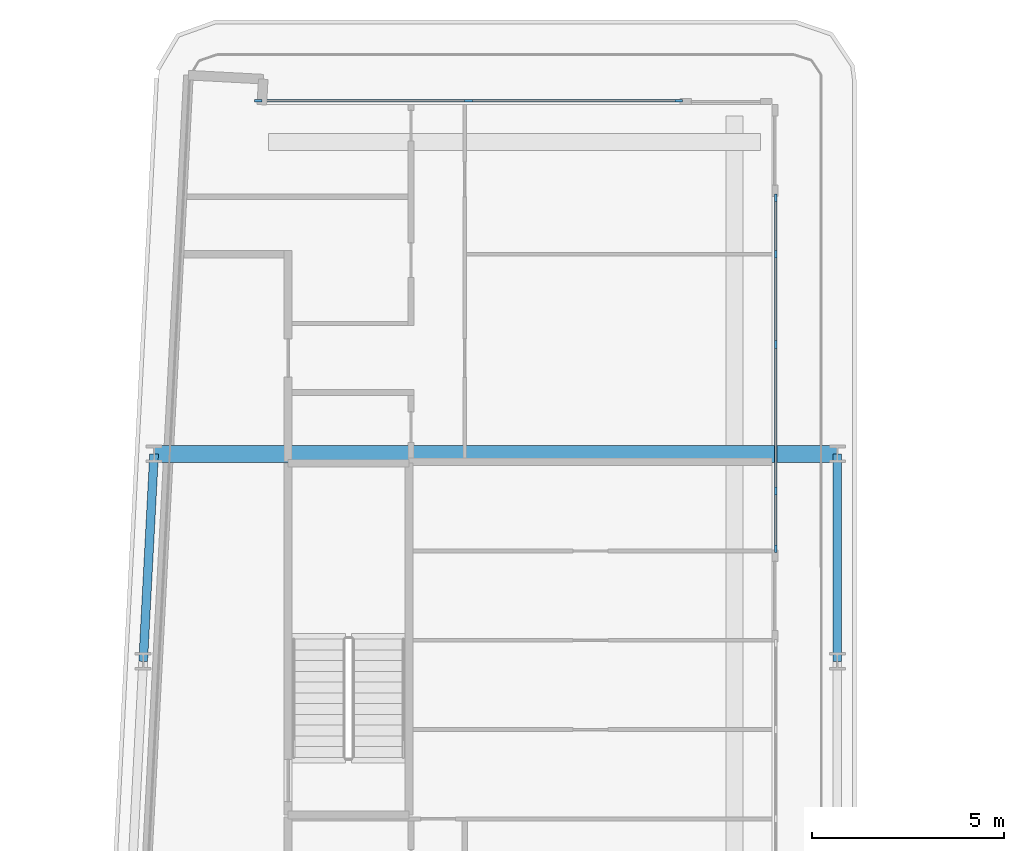
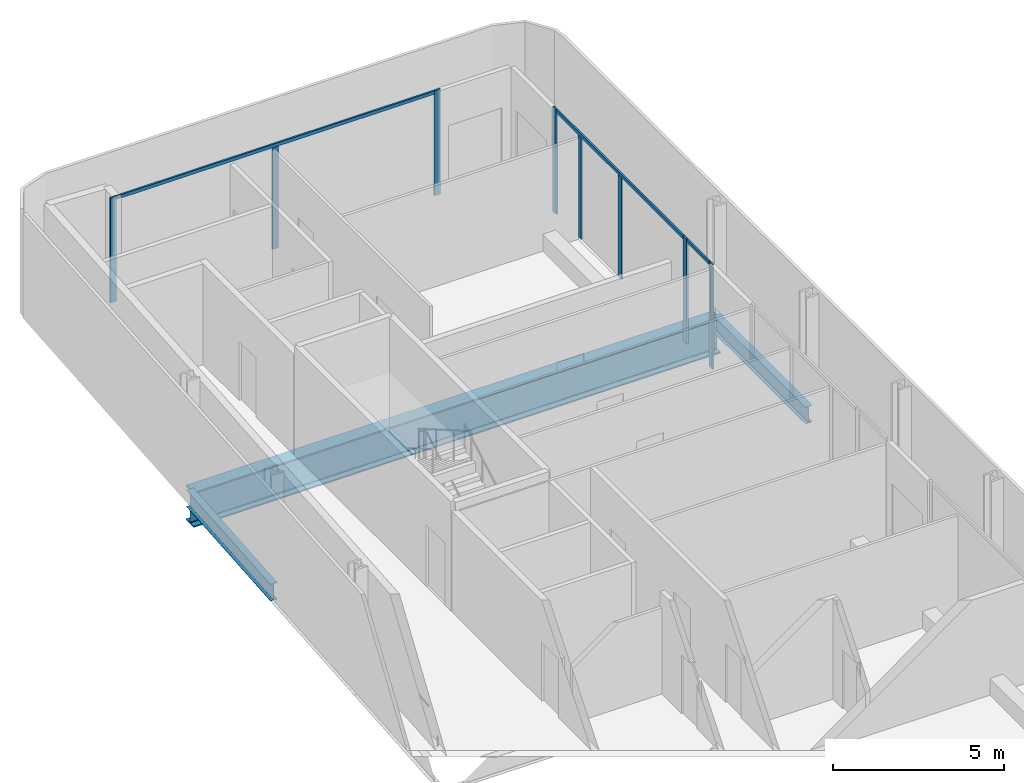
# One storey, part 9 of 28: 11 members, 3 beams, 3 elements without a shape of their own.
"""IFC4 building model written with IfcOpenShell, lengths in metres."""

from ifc_helpers import new_model, si_unit, direction, frame, origin, origin_2d, place, context, subcontext, project, spatial, rectangle, i_section, extrude, material, layer, layer_set, material_profile, profile_set, type_object, element, aggregate, save


model = new_model("IFC4")

# Units and contexts
model_context = context("Model", 3, precision=1e-05, world=origin(), true_north=direction((0.0, 1.0)))
body_context = subcontext(model_context, "Body", "Model", "MODEL_VIEW")
ifc_project = project(units=[si_unit("LENGTHUNIT", "METRE"), si_unit("AREAUNIT", "SQUARE_METRE"), si_unit("VOLUMEUNIT", "CUBIC_METRE"), si_unit("PLANEANGLEUNIT", "RADIAN"), si_unit("MASSUNIT", "GRAM", prefix="KILO")], contexts=[model_context])

# Site, building, storey
site_placement = place(None, origin())
site = spatial("IfcSite", under=ifc_project, at=site_placement, CompositionType="ELEMENT")
building_placement = place(site_placement, origin())
building = spatial("IfcBuilding", under=site, at=building_placement, Name="Kheshtan School and Residences Tower", CompositionType="ELEMENT")
storey_placement = place(building_placement, frame((0.0, 0.0, 137.0)))
storey = spatial("IfcBuildingStorey", under=building, at=storey_placement, Name="L32", CompositionType="ELEMENT", Elevation=137.0)

# Beams
ifc_material_1 = material(Name="Steel ASTM A992 Grade 50", Category="steel")
ifc_material_profile_1 = material_profile(ifc_material_1, i_section(OverallWidth=0.22802734375, OverallDepth=0.60302734375, WebThickness=0.010498046875, FlangeThickness=0.014892578125, FilletRadius=0.013427734375, at=origin_2d()), Name="W610x101")
ifc_profile_set_1 = profile_set([ifc_material_profile_1], Name="Steel ASTM A992 Grade 50")
beam_type_1 = type_object("IfcBeamType", Name="Beam SP2 W610x101 ASTM A992 Grade 50", PredefinedType="BEAM", material=ifc_profile_set_1)
beam_1_placement = place(storey_placement, frame((47.60009765625, 88.800048828125, -0.451416015625), z_axis=(0.0, -1.0, 0.0), x_axis=(1.0, 0.0, 0.0)))
element("IfcBeam", 1, at=beam_1_placement, inside=storey, type_object=beam_type_1, Name="Spandrel beam C099-C091", PredefinedType="BEAM", context=body_context, shape_type="SweptSolid", body=[
    extrude(i_section(OverallWidth=0.22802734375, OverallDepth=0.60302734375, WebThickness=0.010498046875, FlangeThickness=0.014892578125, FilletRadius=0.013427734375, at=origin_2d()), origin(), (0.0, 0.0, 1.0), 5.400146484375),
])
beam_2_placement = place(storey_placement, frame((29.527099609375, 83.39990234375, -0.451416015625), z_axis=(0.05250670125, 0.998620571751, 0.0), x_axis=(-0.998620571751, 0.05250670125, 0.0)))
element("IfcBeam", 2, at=beam_2_placement, inside=storey, type_object=beam_type_1, Name="Spandrel beam C090-C098", PredefinedType="BEAM", context=body_context, shape_type="SweptSolid", body=[
    extrude(i_section(OverallWidth=0.22802734375, OverallDepth=0.60302734375, WebThickness=0.010498046875, FlangeThickness=0.014892578125, FilletRadius=0.013427734375, at=origin_2d()), origin(), (0.0, 0.0, 1.0), 5.40771484375),
])

# Curtain wall, members
ifc_material_2 = material(Name="Clear low-e glass in thermally broken aluminium frame", Category="aluminium")
ifc_layer = layer(ifc_material_2, 0.199951171875)
ifc_layer_set = layer_set([ifc_layer], Name="Curtain wall CW-L")
curtain_wall_type = type_object("IfcCurtainWallType", Name="Curtain wall CW-L", PredefinedType="NOTDEFINED", material=ifc_layer_set)
curtain_wall_1_placement = place(storey_placement, origin())
curtain_wall_1 = element("IfcCurtainWall", 3, at=curtain_wall_1_placement, inside=storey, type_object=curtain_wall_type, Name="Curtain wall CWL7", PredefinedType="NOTDEFINED")
ifc_material_3 = material(Name="Thermally broken aluminium, dark bronze anodised", Category="aluminium")
ifc_material_profile_2 = material_profile(ifc_material_3, rectangle(XDim=0.06005859375, YDim=0.199951171875, at=origin_2d()), Name="CW-L mullion 60x200")
ifc_profile_set_2 = profile_set([ifc_material_profile_2], Name="Thermally broken aluminium, dark bronze anodised")
member_type_1 = type_object("IfcMemberType", Name="CW-L mullion 60x200", PredefinedType="MULLION", material=ifc_profile_set_2)
member_1_placement = place(storey_placement, frame((32.52197265625, 98.0, 0.0), z_axis=(0.0, 0.0, 1.0), x_axis=(0.0, 1.0, 0.0)))
member_1 = element("IfcMember", 4, at=member_1_placement, type_object=member_type_1, Name="CWL7 mullion 1", PredefinedType="MULLION", context=body_context, shape_type="SweptSolid", body=[
    extrude(rectangle(XDim=0.06005859375, YDim=0.199951171875, at=origin_2d()), origin(), (0.0, 0.0, 1.0), 3.75),
])
member_2_placement = place(storey_placement, frame((37.99609375, 98.0, 0.0), z_axis=(0.0, 0.0, 1.0), x_axis=(0.0, 1.0, 0.0)))
member_2 = element("IfcMember", 5, at=member_2_placement, type_object=member_type_1, Name="CWL7 mullion 2", PredefinedType="MULLION", context=body_context, shape_type="SweptSolid", body=[
    extrude(rectangle(XDim=0.06005859375, YDim=0.199951171875, at=origin_2d()), origin(), (0.0, 0.0, 1.0), 3.6298828125),
])
member_3_placement = place(storey_placement, frame((43.469970703125, 98.0, 0.0), z_axis=(0.0, 0.0, 1.0), x_axis=(0.0, 1.0, 0.0)))
member_3 = element("IfcMember", 6, at=member_3_placement, type_object=member_type_1, Name="CWL7 mullion 3", PredefinedType="MULLION", context=body_context, shape_type="SweptSolid", body=[
    extrude(rectangle(XDim=0.06005859375, YDim=0.199951171875, at=origin_2d()), origin(), (0.0, 0.0, 1.0), 3.75),
])

curtain_wall_2_placement = place(storey_placement, origin())
curtain_wall_2 = element("IfcCurtainWall", 7, at=curtain_wall_2_placement, inside=storey, type_object=curtain_wall_type, Name="Curtain wall CWL8c", PredefinedType="NOTDEFINED")
member_4_placement = place(storey_placement, frame((46.0, 95.469970703125, 0.0), z_axis=(0.0, 0.0, 1.0), x_axis=(1.0, 0.0, 0.0)))
member_4 = element("IfcMember", 8, at=member_4_placement, type_object=member_type_1, Name="CWL8c mullion 1", PredefinedType="MULLION", context=body_context, shape_type="SweptSolid", body=[
    extrude(rectangle(XDim=0.06005859375, YDim=0.199951171875, at=origin_2d()), origin(), (0.0, 0.0, 1.0), 3.75),
])
member_5_placement = place(storey_placement, frame((46.0, 94.0, 0.0), z_axis=(0.0, 0.0, 1.0), x_axis=(1.0, 0.0, 0.0)))
member_5 = element("IfcMember", 9, at=member_5_placement, type_object=member_type_1, Name="CWL8c mullion 2", PredefinedType="MULLION", context=body_context, shape_type="SweptSolid", body=[
    extrude(rectangle(XDim=0.06005859375, YDim=0.199951171875, at=origin_2d()), origin(), (0.0, 0.0, 1.0), 3.6298828125),
])
member_6_placement = place(storey_placement, frame((46.0, 91.653076171875, 0.0), z_axis=(0.0, 0.0, 1.0), x_axis=(1.0, 0.0, 0.0)))
member_6 = element("IfcMember", 10, at=member_6_placement, type_object=member_type_1, Name="CWL8c mullion 3", PredefinedType="MULLION", context=body_context, shape_type="SweptSolid", body=[
    extrude(rectangle(XDim=0.06005859375, YDim=0.199951171875, at=origin_2d()), origin(), (0.0, 0.0, 1.0), 3.6298828125),
])
member_7_placement = place(storey_placement, frame((46.0, 87.8359375, 0.0), z_axis=(0.0, 0.0, 1.0), x_axis=(1.0, 0.0, 0.0)))
member_7 = element("IfcMember", 11, at=member_7_placement, type_object=member_type_1, Name="CWL8c mullion 4", PredefinedType="MULLION", context=body_context, shape_type="SweptSolid", body=[
    extrude(rectangle(XDim=0.06005859375, YDim=0.199951171875, at=origin_2d()), origin(), (0.0, 0.0, 1.0), 3.75),
])

# Curtain wall, member
curtain_wall_3_placement = place(storey_placement, origin())
curtain_wall_3 = element("IfcCurtainWall", 12, at=curtain_wall_3_placement, inside=storey, type_object=curtain_wall_type, Name="Curtain wall CWL8a", PredefinedType="NOTDEFINED")
member_8_placement = place(storey_placement, frame((46.0, 86.3359375, 0.0), z_axis=(0.0, 0.0, 1.0), x_axis=(1.0, 0.0, 0.0)))
member_8 = element("IfcMember", 13, at=member_8_placement, type_object=member_type_1, Name="CWL8a mullion 2", PredefinedType="MULLION", context=body_context, shape_type="SweptSolid", body=[
    extrude(rectangle(XDim=0.06005859375, YDim=0.199951171875, at=origin_2d()), origin(), (0.0, 0.0, 1.0), 3.75),
])

# Member
ifc_material_profile_3 = material_profile(ifc_material_3, rectangle(XDim=0.06005859375, YDim=0.1201171875, at=origin_2d()), Name="CW-L transom 60x120")
ifc_profile_set_3 = profile_set([ifc_material_profile_3], Name="Thermally broken aluminium, dark bronze anodised")
member_type_2 = type_object("IfcMemberType", Name="CW-L transom 60x120", PredefinedType="USERDEFINED", material=ifc_profile_set_3)
member_9_placement = place(storey_placement, frame((32.552001953125, 98.0, 3.68994140625), z_axis=(1.0, 0.0, 0.0), x_axis=(0.0, 1.0, 0.0)))
member_9 = element("IfcMember", 14, at=member_9_placement, type_object=member_type_2, Name="CWL7 transom 1", ObjectType="TRANSOM", PredefinedType="USERDEFINED", context=body_context, shape_type="SweptSolid", body=[
    extrude(rectangle(XDim=0.06005859375, YDim=0.1201171875, at=origin_2d()), origin(), (0.0, 0.0, 1.0), 10.887939453125),
])

aggregate(curtain_wall_1, [member_1, member_2, member_3, member_9])

member_10_placement = place(storey_placement, frame((46.0, 95.43994140625, 3.68994140625), z_axis=(0.0, -1.0, 0.0), x_axis=(1.0, 0.0, 0.0)))
member_10 = element("IfcMember", 15, at=member_10_placement, type_object=member_type_2, Name="CWL8c transom 1", ObjectType="TRANSOM", PredefinedType="USERDEFINED", context=body_context, shape_type="SweptSolid", body=[
    extrude(rectangle(XDim=0.06005859375, YDim=0.1201171875, at=origin_2d()), origin(), (0.0, 0.0, 1.0), 7.573974609375),
])

aggregate(curtain_wall_2, [member_4, member_5, member_6, member_7, member_10])

member_11_placement = place(storey_placement, frame((46.0, 87.805908203125, 3.68994140625), z_axis=(0.0, -1.0, 0.0), x_axis=(1.0, 0.0, 0.0)))
member_11 = element("IfcMember", 16, at=member_11_placement, type_object=member_type_2, Name="CWL8a transom 1", ObjectType="TRANSOM", PredefinedType="USERDEFINED", context=body_context, shape_type="SweptSolid", body=[
    extrude(rectangle(XDim=0.06005859375, YDim=0.1201171875, at=origin_2d()), origin(), (0.0, 0.0, 1.0), 1.43994140625),
])

aggregate(curtain_wall_3, [member_8, member_11])

# Beam
ifc_material_profile_4 = material_profile(ifc_material_1, i_section(OverallWidth=0.449951171875, OverallDepth=1.25, WebThickness=0.02490234375, FlangeThickness=0.044921875, FilletRadius=0.03759765625, at=origin_2d()), Name="WWF1250x546")
ifc_profile_set_4 = profile_set([ifc_material_profile_4], Name="Steel ASTM A992 Grade 50")
beam_type_2 = type_object("IfcBeamType", Name="Transfer girder TG4 WWF1250x546 ASTM A992 Grade 50", PredefinedType="BEAM", material=ifc_profile_set_4)
beam_3_placement = place(storey_placement, frame((29.81103515625, 88.800048828125, -0.77490234375), z_axis=(1.0, 0.0, 0.0), x_axis=(0.0, 1.0, 0.0)))
element("IfcBeam", 17, at=beam_3_placement, inside=storey, type_object=beam_type_2, Name="Transfer girder C098-C099", PredefinedType="BEAM", context=body_context, shape_type="SweptSolid", body=[
    extrude(i_section(OverallWidth=0.449951171875, OverallDepth=1.25, WebThickness=0.02490234375, FlangeThickness=0.044921875, FilletRadius=0.03759765625, at=origin_2d()), origin(), (0.0, 0.0, 1.0), 17.7890625),
])

save(model, "model.ifc")
